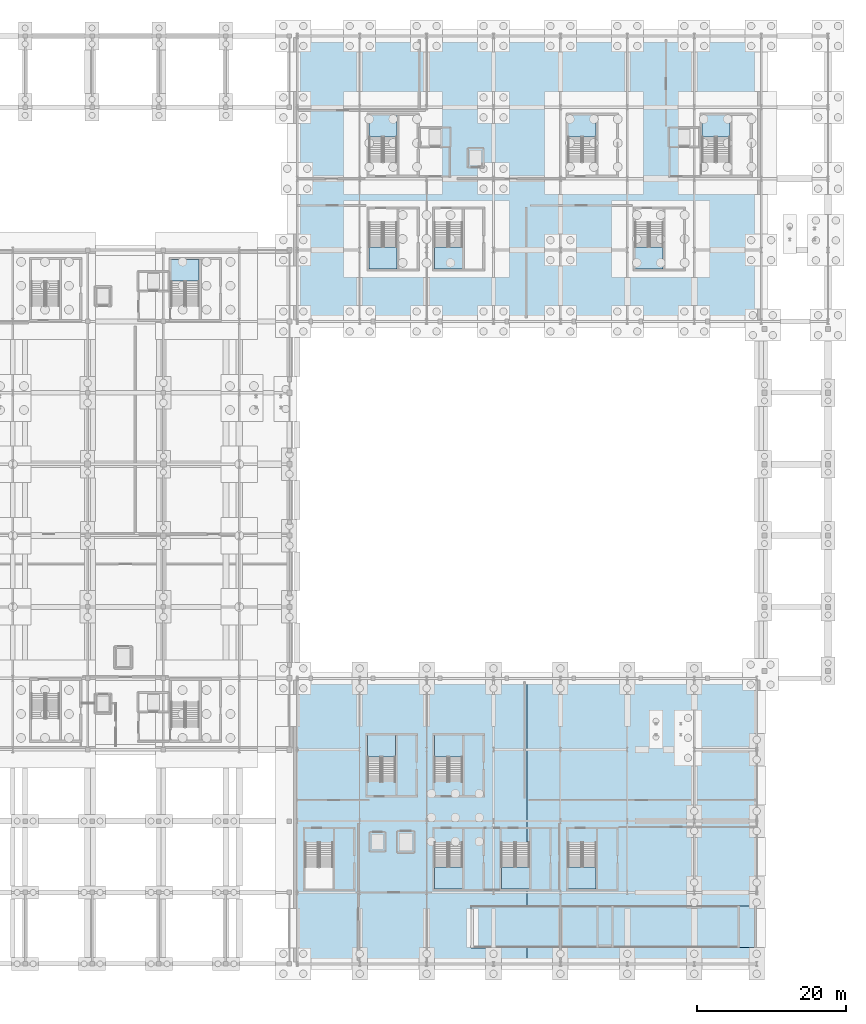
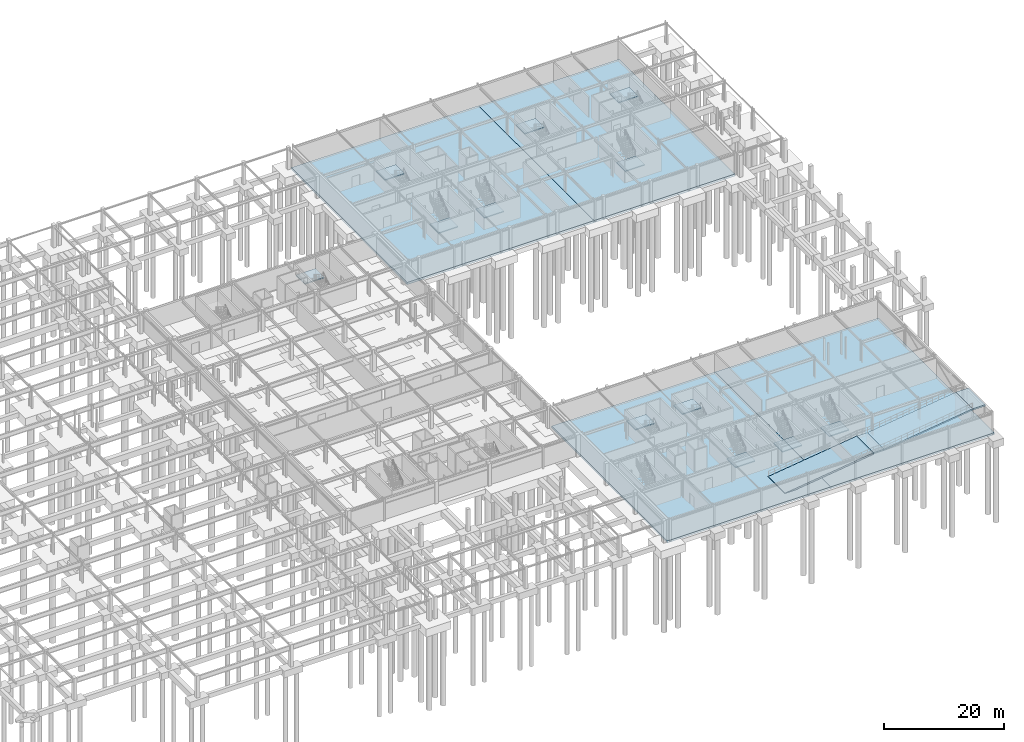
# One storey, part 34 of 59: 20 slabs, 12 elements without a shape of their own.
"""IFC4 building model written with IfcOpenShell, lengths in metres."""

from ifc_helpers import new_model, si_unit, direction, frame, origin, place, context, subcontext, project, spatial, polyline, outline, extrude, material, layer, layer_set, type_object, element, aggregate, save


model = new_model("IFC4")

# Units and contexts
model_context = context("Model", 3, precision=1e-05, world=origin(), true_north=direction((0.0, 1.0)))
body_context = subcontext(model_context, "Body", "Model", "MODEL_VIEW")
ifc_project = project(units=[si_unit("LENGTHUNIT", "METRE"), si_unit("AREAUNIT", "SQUARE_METRE"), si_unit("VOLUMEUNIT", "CUBIC_METRE"), si_unit("PLANEANGLEUNIT", "RADIAN"), si_unit("MASSUNIT", "GRAM", prefix="KILO")], contexts=[model_context])

# Site, building, storey
site_placement = place(None, origin())
site = spatial("IfcSite", under=ifc_project, at=site_placement, CompositionType="ELEMENT")
building_placement = place(site_placement, origin())
building = spatial("IfcBuilding", under=site, at=building_placement, Name="Myrtia Square Station", CompositionType="ELEMENT")
storey_placement = place(building_placement, frame((0.0, 0.0, -4.5)))
storey = spatial("IfcBuildingStorey", under=building, at=storey_placement, Name="B01", CompositionType="ELEMENT", Elevation=-4.5)

# Slabs
ifc_material = material(Name="Concrete C35/45", Category="concrete")
ifc_layer_1 = layer(ifc_material, 0.39990234375, Name="Concrete C35/45")
ifc_layer_set_1 = layer_set([ifc_layer_1], Name="Concrete C35/45")
slab_type_1 = type_object("IfcSlabType", Name="SLB-BASE-400", PredefinedType="BASESLAB", material=ifc_layer_set_1)
slab_1_placement = place(storey_placement, frame((0.0, 0.0, -0.39990234375)))
element("IfcSlab", 1, at=slab_1_placement, inside=storey, type_object=slab_type_1, Name="Structural floor slab SLB-B01-V4W", PredefinedType="BASESLAB", context=body_context, shape_type="SweptSolid", body=[
    extrude(outline(polyline([(117.14990234375, 0.0), (148.5, 0.0), (148.5, 38.39990234375), (117.14990234375, 38.39990234375), (117.14990234375, 0.0)]), holes=[polyline([(140.949951171875, 2.14990234375), (140.949951171875, 7.85009765625), (143.449951171875, 7.85009765625), (143.449951171875, 2.14990234375), (140.949951171875, 2.14990234375)])]), origin(), (0.0, 0.0, 1.0), 0.39990234375),
])
slab_2_placement = place(storey_placement, frame((0.0, 0.0, -0.39990234375)))
element("IfcSlab", 2, at=slab_2_placement, inside=storey, type_object=slab_type_1, Name="Structural floor slab SLB-B01-V4E", PredefinedType="BASESLAB", context=body_context, shape_type="SweptSolid", body=[
    extrude(outline(polyline([(148.5, 0.0), (179.85009765625, 0.0), (179.85009765625, 38.39990234375), (148.5, 38.39990234375), (148.5, 0.0)])), origin(), (0.0, 0.0, 1.0), 0.39990234375),
])
ifc_layer_2 = layer(ifc_material, 0.449951171875, Name="Concrete C35/45")
ifc_layer_set_2 = layer_set([ifc_layer_2], Name="Concrete C35/45")
slab_type_2 = type_object("IfcSlabType", Name="SLB-BASE-450", PredefinedType="BASESLAB", material=ifc_layer_set_2)
slab_3_placement = place(storey_placement, frame((0.0, 0.0, -0.449951171875)))
element("IfcSlab", 3, at=slab_3_placement, inside=storey, type_object=slab_type_2, Name="Structural floor slab SLB-B01-V5W", PredefinedType="BASESLAB", context=body_context, shape_type="SweptSolid", body=[
    extrude(outline(polyline([(117.14990234375, 86.39990234375), (153.0, 86.39990234375), (153.0, 124.800048828125), (117.14990234375, 124.800048828125), (117.14990234375, 86.39990234375)])), origin(), (0.0, 0.0, 1.0), 0.449951171875),
])
slab_4_placement = place(storey_placement, frame((0.0, 0.0, -0.449951171875)))
element("IfcSlab", 4, at=slab_4_placement, inside=storey, type_object=slab_type_2, Name="Structural floor slab SLB-B01-V5E", PredefinedType="BASESLAB", context=body_context, shape_type="SweptSolid", body=[
    extrude(outline(polyline([(153.0, 86.39990234375), (180.0, 86.39990234375), (180.0, 124.800048828125), (153.0, 124.800048828125), (153.0, 86.39990234375)])), origin(), (0.0, 0.0, 1.0), 0.449951171875),
])

# Stair, slab
stair_type = type_object("IfcStairType", Name="STR-01-26R-1800W", PredefinedType="HALF_TURN_STAIR", material=ifc_material)
stair_1_placement = place(storey_placement, origin())
stair_1 = element("IfcStair", 5, at=stair_1_placement, inside=storey, type_object=stair_type, Name="B01 Core escape stair ST04", PredefinedType="HALF_TURN_STAIR")
ifc_layer_3 = layer(ifc_material, 0.199951171875, Name="Concrete C35/45")
ifc_layer_set_3 = layer_set([ifc_layer_3], Name="Concrete C35/45")
slab_type_3 = type_object("IfcSlabType", Name="SLB-LAND-200", PredefinedType="LANDING", material=ifc_layer_set_3)
slab_5_placement = place(storey_placement, frame((0.0, 0.0, 2.050048828125)))
slab_5 = element("IfcSlab", 6, at=slab_5_placement, type_object=slab_type_3, Name="ST04 landing 1", PredefinedType="LANDING", context=body_context, shape_type="SweptSolid", body=[
    extrude(outline(polyline([(104.409912109375, 91.81005859375), (104.409912109375, 94.75), (100.64990234375, 94.75), (100.64990234375, 91.81005859375), (104.409912109375, 91.81005859375)])), origin(), (0.0, 0.0, 1.0), 0.199951171875),
])
aggregate(stair_1, [slab_5])

stair_2_placement = place(storey_placement, origin())
stair_2 = element("IfcStair", 7, at=stair_2_placement, inside=storey, type_object=stair_type, Name="B01 Core escape stair ST06", PredefinedType="HALF_TURN_STAIR")
slab_6_placement = place(storey_placement, frame((0.0, 0.0, 2.050048828125)))
slab_6 = element("IfcSlab", 8, at=slab_6_placement, type_object=slab_type_3, Name="ST06 landing 1", PredefinedType="LANDING", context=body_context, shape_type="SweptSolid", body=[
    extrude(outline(polyline([(136.050048828125, 12.989990234375), (136.050048828125, 10.050048828125), (139.81005859375, 10.050048828125), (139.81005859375, 12.989990234375), (136.050048828125, 12.989990234375)])), origin(), (0.0, 0.0, 1.0), 0.199951171875),
])
aggregate(stair_2, [slab_6])

stair_3_placement = place(storey_placement, origin())
stair_3 = element("IfcStair", 9, at=stair_3_placement, inside=storey, type_object=stair_type, Name="B01 Core escape stair ST09", PredefinedType="HALF_TURN_STAIR")
slab_7_placement = place(storey_placement, frame((0.0, 0.0, 2.050048828125)))
slab_7 = element("IfcSlab", 10, at=slab_7_placement, type_object=slab_type_3, Name="ST09 landing 1", PredefinedType="LANDING", context=body_context, shape_type="SweptSolid", body=[
    extrude(outline(polyline([(139.81005859375, 27.81005859375), (139.81005859375, 30.75), (136.050048828125, 30.75), (136.050048828125, 27.81005859375), (139.81005859375, 27.81005859375)])), origin(), (0.0, 0.0, 1.0), 0.199951171875),
])
aggregate(stair_3, [slab_7])

stair_4_placement = place(storey_placement, origin())
stair_4 = element("IfcStair", 11, at=stair_4_placement, inside=storey, type_object=stair_type, Name="B01 Core escape stair ST10", PredefinedType="HALF_TURN_STAIR")
slab_8_placement = place(storey_placement, frame((0.0, 0.0, 2.050048828125)))
slab_8 = element("IfcSlab", 12, at=slab_8_placement, type_object=slab_type_3, Name="ST10 landing 1", PredefinedType="LANDING", context=body_context, shape_type="SweptSolid", body=[
    extrude(outline(polyline([(130.81005859375, 27.81005859375), (130.81005859375, 30.75), (127.050048828125, 30.75), (127.050048828125, 27.81005859375), (130.81005859375, 27.81005859375)])), origin(), (0.0, 0.0, 1.0), 0.199951171875),
])
aggregate(stair_4, [slab_8])

stair_5_placement = place(storey_placement, origin())
stair_5 = element("IfcStair", 13, at=stair_5_placement, inside=storey, type_object=stair_type, Name="B01 Core escape stair ST11", PredefinedType="HALF_TURN_STAIR")
slab_9_placement = place(storey_placement, frame((0.0, 0.0, 2.050048828125)))
slab_9 = element("IfcSlab", 14, at=slab_9_placement, type_object=slab_type_3, Name="ST11 landing 1", PredefinedType="LANDING", context=body_context, shape_type="SweptSolid", body=[
    extrude(outline(polyline([(145.050048828125, 12.989990234375), (145.050048828125, 10.050048828125), (148.81005859375, 10.050048828125), (148.81005859375, 12.989990234375), (145.050048828125, 12.989990234375)])), origin(), (0.0, 0.0, 1.0), 0.199951171875),
])
aggregate(stair_5, [slab_9])

stair_6_placement = place(storey_placement, origin())
stair_6 = element("IfcStair", 15, at=stair_6_placement, inside=storey, type_object=stair_type, Name="B01 Core escape stair ST14", PredefinedType="HALF_TURN_STAIR")
slab_10_placement = place(storey_placement, frame((0.0, 0.0, 2.050048828125)))
slab_10 = element("IfcSlab", 16, at=slab_10_placement, type_object=slab_type_3, Name="ST14 landing 1", PredefinedType="LANDING", context=body_context, shape_type="SweptSolid", body=[
    extrude(outline(polyline([(154.050048828125, 12.989990234375), (154.050048828125, 10.050048828125), (157.81005859375, 10.050048828125), (157.81005859375, 12.989990234375), (154.050048828125, 12.989990234375)])), origin(), (0.0, 0.0, 1.0), 0.199951171875),
])
aggregate(stair_6, [slab_10])

stair_7_placement = place(storey_placement, origin())
stair_7 = element("IfcStair", 17, at=stair_7_placement, inside=storey, type_object=stair_type, Name="B01 Core escape stair ST07", PredefinedType="HALF_TURN_STAIR")
slab_11_placement = place(storey_placement, frame((0.0, 0.0, 2.050048828125)))
slab_11 = element("IfcSlab", 18, at=slab_11_placement, type_object=slab_type_3, Name="ST07 landing 1", PredefinedType="LANDING", context=body_context, shape_type="SweptSolid", body=[
    extrude(outline(polyline([(131.010009765625, 111.2099609375), (131.010009765625, 114.14990234375), (127.25, 114.14990234375), (127.25, 111.2099609375), (131.010009765625, 111.2099609375)])), origin(), (0.0, 0.0, 1.0), 0.199951171875),
])
aggregate(stair_7, [slab_11])

stair_8_placement = place(storey_placement, origin())
stair_8 = element("IfcStair", 19, at=stair_8_placement, inside=storey, type_object=stair_type, Name="B01 Core escape stair ST08", PredefinedType="HALF_TURN_STAIR")
slab_12_placement = place(storey_placement, frame((0.0, 0.0, 2.050048828125)))
slab_12 = element("IfcSlab", 20, at=slab_12_placement, type_object=slab_type_3, Name="ST08 landing 1", PredefinedType="LANDING", context=body_context, shape_type="SweptSolid", body=[
    extrude(outline(polyline([(175.81005859375, 111.2099609375), (175.81005859375, 114.14990234375), (172.050048828125, 114.14990234375), (172.050048828125, 111.2099609375), (175.81005859375, 111.2099609375)])), origin(), (0.0, 0.0, 1.0), 0.199951171875),
])
aggregate(stair_8, [slab_12])

stair_9_placement = place(storey_placement, origin())
stair_9 = element("IfcStair", 21, at=stair_9_placement, inside=storey, type_object=stair_type, Name="B01 Core escape stair ST12", PredefinedType="HALF_TURN_STAIR")
slab_13_placement = place(storey_placement, frame((0.0, 0.0, 2.050048828125)))
slab_13 = element("IfcSlab", 22, at=slab_13_placement, type_object=slab_type_3, Name="ST12 landing 1", PredefinedType="LANDING", context=body_context, shape_type="SweptSolid", body=[
    extrude(outline(polyline([(127.25, 96.389892578125), (127.25, 93.449951171875), (131.010009765625, 93.449951171875), (131.010009765625, 96.389892578125), (127.25, 96.389892578125)])), origin(), (0.0, 0.0, 1.0), 0.199951171875),
])
aggregate(stair_9, [slab_13])

stair_10_placement = place(storey_placement, origin())
stair_10 = element("IfcStair", 23, at=stair_10_placement, inside=storey, type_object=stair_type, Name="B01 Core escape stair ST13", PredefinedType="HALF_TURN_STAIR")
slab_14_placement = place(storey_placement, frame((0.0, 0.0, 2.050048828125)))
slab_14 = element("IfcSlab", 24, at=slab_14_placement, type_object=slab_type_3, Name="ST13 landing 1", PredefinedType="LANDING", context=body_context, shape_type="SweptSolid", body=[
    extrude(outline(polyline([(136.050048828125, 96.389892578125), (136.050048828125, 93.449951171875), (139.81005859375, 93.449951171875), (139.81005859375, 96.389892578125), (136.050048828125, 96.389892578125)])), origin(), (0.0, 0.0, 1.0), 0.199951171875),
])
aggregate(stair_10, [slab_14])

stair_11_placement = place(storey_placement, origin())
stair_11 = element("IfcStair", 25, at=stair_11_placement, inside=storey, type_object=stair_type, Name="B01 Core escape stair ST15", PredefinedType="HALF_TURN_STAIR")
slab_15_placement = place(storey_placement, frame((0.0, 0.0, 2.050048828125)))
slab_15 = element("IfcSlab", 26, at=slab_15_placement, type_object=slab_type_3, Name="ST15 landing 1", PredefinedType="LANDING", context=body_context, shape_type="SweptSolid", body=[
    extrude(outline(polyline([(157.81005859375, 111.2099609375), (157.81005859375, 114.14990234375), (154.050048828125, 114.14990234375), (154.050048828125, 111.2099609375), (157.81005859375, 111.2099609375)])), origin(), (0.0, 0.0, 1.0), 0.199951171875),
])
aggregate(stair_11, [slab_15])

stair_12_placement = place(storey_placement, origin())
stair_12 = element("IfcStair", 27, at=stair_12_placement, inside=storey, type_object=stair_type, Name="B01 Core escape stair ST16", PredefinedType="HALF_TURN_STAIR")
slab_16_placement = place(storey_placement, frame((0.0, 0.0, 2.050048828125)))
slab_16 = element("IfcSlab", 28, at=slab_16_placement, type_object=slab_type_3, Name="ST16 landing 1", PredefinedType="LANDING", context=body_context, shape_type="SweptSolid", body=[
    extrude(outline(polyline([(163.050048828125, 96.389892578125), (163.050048828125, 93.449951171875), (166.81005859375, 93.449951171875), (166.81005859375, 96.389892578125), (163.050048828125, 96.389892578125)])), origin(), (0.0, 0.0, 1.0), 0.199951171875),
])
aggregate(stair_12, [slab_16])

# Slabs
ifc_layer_4 = layer(ifc_material, 0.25, Name="Concrete C35/45")
ifc_layer_set_4 = layer_set([ifc_layer_4], Name="Concrete C35/45")
slab_type_4 = type_object("IfcSlabType", Name="SLB-LAND-250", PredefinedType="LANDING", material=ifc_layer_set_4)
slab_17_placement = place(storey_placement, frame((0.0, 0.0, 1.949951171875)))
element("IfcSlab", 29, at=slab_17_placement, inside=storey, type_object=slab_type_4, Name="Service loading vehicle ramp VR1 landing 1", PredefinedType="LANDING", context=body_context, shape_type="SweptSolid", body=[
    extrude(outline(polyline([(158.0, 2.199951171875), (160.0, 2.199951171875), (160.0, 7.800048828125), (158.0, 7.800048828125), (158.0, 2.199951171875)])), origin(), (0.0, 0.0, 1.0), 0.300048828125),
])
slab_18_placement = place(storey_placement, frame((0.0, 0.0, 4.199951171875)))
element("IfcSlab", 30, at=slab_18_placement, inside=storey, type_object=slab_type_4, Name="Service loading vehicle ramp VR1 landing 2", PredefinedType="LANDING", context=body_context, shape_type="SweptSolid", body=[
    extrude(outline(polyline([(177.0, 2.199951171875), (179.39990234375, 2.199951171875), (179.39990234375, 7.800048828125), (177.0, 7.800048828125), (177.0, 2.199951171875)])), origin(), (0.0, 0.0, 1.0), 0.300048828125),
])
ifc_layer_5 = layer(ifc_material, 0.300048828125, Name="Concrete C35/45")
ifc_layer_set_5 = layer_set([ifc_layer_5], Name="Concrete C35/45")
slab_type_5 = type_object("IfcSlabType", Name="SLB-RAMP-300", PredefinedType="FLOOR", material=ifc_layer_set_5)
for number, where, z_axis, x_axis, name in (
    (31, (141.0, 2.199951171875, 0.0), (-0.131589445618, 0.0, 0.991304301313), (0.991304301313, 0.0, 0.131589445618), "Service loading vehicle ramp VR1 flight 1"),
    (32, (160.0, 2.199951171875, 2.25), (-0.131589445618, 0.0, 0.991304301313), (0.991304301313, 0.0, 0.131589445618), "Service loading vehicle ramp VR1 flight 2"),
):
    element("IfcSlab", number, at=place(storey_placement, frame(where, z_axis=z_axis, x_axis=x_axis)), inside=storey, type_object=slab_type_5, Name=name, PredefinedType="FLOOR", context=body_context, shape_type="SweptSolid", body=[
        extrude(outline(polyline([(0.0, 0.0), (17.09863575636801, 0.0), (17.09863575636801, 5.60009765625), (0.0, 5.60009765625), (0.0, 0.0)])), origin(), (0.0, 0.0, -1.0), 0.300048828125),
    ])

save(model, "model.ifc")
